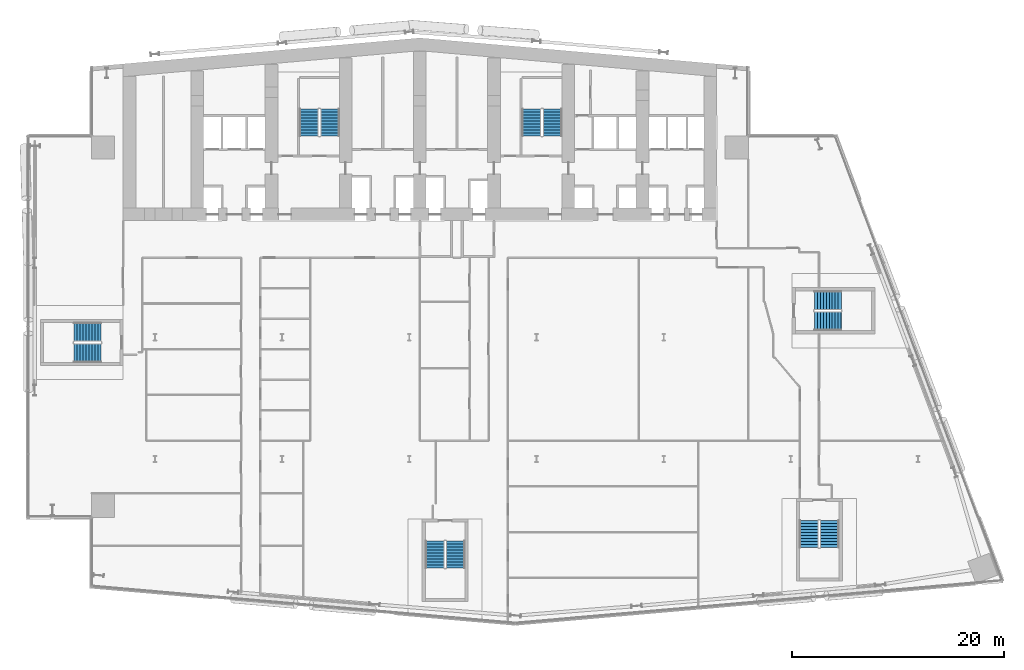
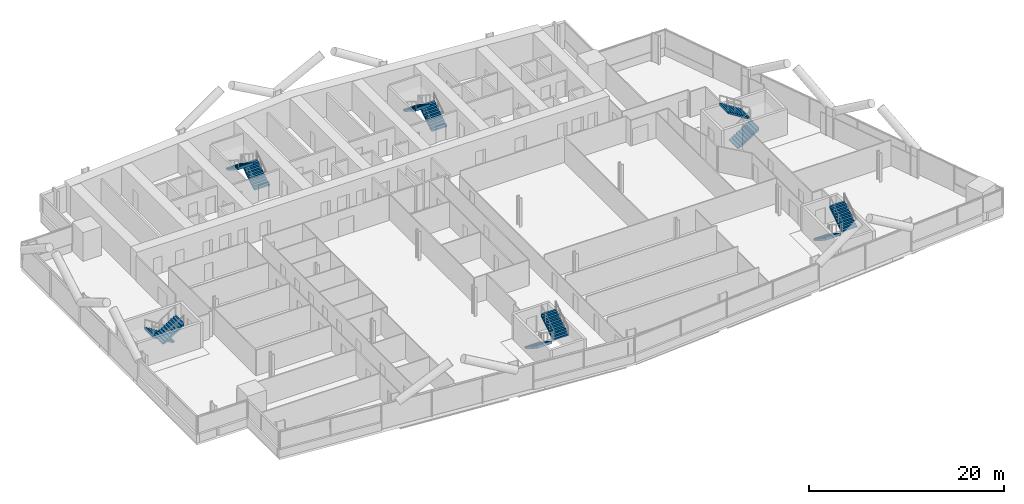
# One storey, part 20 of 27: 12 stair flights, 6 elements without a shape of their own.
"""IFC4 building model written with IfcOpenShell, lengths in metres."""

import ifcopenshell
import ifcopenshell.guid

model = None  # the IFC model being written
_history = None  # IfcOwnerHistory: only IFC2X3 demands one
_inside = {}  # id of a spatial element -> (the spatial element, [elements in it])
_under = {}  # id of a project, library or spatial element -> (it, [spatial elements below it])
_declared = {}  # id of a project -> (the project, [libraries it declares])
_typed = {}  # id of a type object -> (the type object, [elements of that type])
_made_of = {}  # id of a material, layer set ... -> (it, [elements and type objects made of it])


def new_model(schema):
    """Start an empty IFC model of exactly this schema.

    Asked for "IFC4X3", IfcOpenShell would pick the latest addendum, in which some entities
    have other attributes; the version numbers below select the first issue.
    IFC2X3 requires an IfcOwnerHistory on every rooted entity: one is made here for all.
    """
    global model, _history
    if schema == "IFC4X3":
        model = ifcopenshell.file(schema_version=(4, 3, 0, 0))
    else:
        model = ifcopenshell.file(schema=schema)
    _inside.clear()
    _under.clear()
    _declared.clear()
    _typed.clear()
    _made_of.clear()
    _history = None
    if model.schema == "IFC2X3":
        org = make("IfcOrganization", Name="unknown")
        user = make(
            "IfcPersonAndOrganization",
            ThePerson=make("IfcPerson", FamilyName="unknown"),
            TheOrganization=org,
        )
        app = make(
            "IfcApplication",
            ApplicationDeveloper=org,
            Version="unknown",
            ApplicationFullName="unknown",
            ApplicationIdentifier="unknown",
        )
        _history = make(
            "IfcOwnerHistory",
            OwningUser=user,
            OwningApplication=app,
            ChangeAction="ADDED",
            CreationDate=0,
        )
    return model


def make(cls, **values):
    """One entity of the class cls with the attributes given. An attribute that is None is left unset."""
    return model.create_entity(
        cls, **{name: value for name, value in values.items() if value is not None}
    )


def rooted(cls, **values):
    """An entity with a GlobalId (a new one), such as an element, a storey or a relation."""
    return make(cls, GlobalId=ifcopenshell.guid.new(), OwnerHistory=_history, **values)


def si_unit(unit_type, name, prefix=None):
    """IfcSIUnit, for example si_unit("LENGTHUNIT", "METRE", prefix="MILLI")."""
    return make("IfcSIUnit", UnitType=unit_type, Prefix=prefix, Name=name)


def assignment(units):
    """IfcUnitAssignment: the units of a project."""
    return None if units is None else make("IfcUnitAssignment", Units=units)


def point(xyz):
    """IfcCartesianPoint."""
    return None if xyz is None else make("IfcCartesianPoint", Coordinates=xyz)


def direction(xyz):
    """IfcDirection."""
    return None if xyz is None else make("IfcDirection", DirectionRatios=xyz)


def frame(location, z_axis=None, x_axis=None):
    """IfcAxis2Placement3D, a coordinate frame: its origin and axes. An axis left out is left unset."""
    return make(
        "IfcAxis2Placement3D",
        Location=point(location),
        Axis=direction(z_axis),
        RefDirection=direction(x_axis),
    )


def origin():
    """The frame at (0, 0, 0) with its axes left unset."""
    return frame((0.0, 0.0, 0.0))


def place(relative_to, where):
    """IfcLocalPlacement: puts the frame where relative to a parent placement (None: the world)."""
    return make(
        "IfcLocalPlacement", PlacementRelTo=relative_to, RelativePlacement=where
    )


def context(
    kind, dimensions, precision=None, world=None, true_north=None, identifier=None
):
    """IfcGeometricRepresentationContext, for example the 3D "Model" context."""
    return make(
        "IfcGeometricRepresentationContext",
        ContextIdentifier=identifier,
        ContextType=kind,
        CoordinateSpaceDimension=dimensions,
        Precision=precision,
        WorldCoordinateSystem=world,
        TrueNorth=true_north,
    )


def subcontext(parent, identifier, kind, view, scale=None):
    """IfcGeometricRepresentationSubContext, for example "Body" below "Model"."""
    return make(
        "IfcGeometricRepresentationSubContext",
        ContextIdentifier=identifier,
        ContextType=kind,
        ParentContext=parent,
        TargetScale=scale,
        TargetView=view,
    )


def project(units=None, contexts=None):
    """IfcProject with its units and contexts."""
    return rooted(
        "IfcProject",
        Name="project",
        RepresentationContexts=contexts,
        UnitsInContext=assignment(units),
    )


def spatial(cls, under=None, at=None, **own):
    """A site, building, storey or space (cls), placed at a placement, below another one or the project."""
    s = rooted(cls, ObjectPlacement=at, **own)
    if under is not None:
        _under.setdefault(under.id(), (under, []))[1].append(s)
    return s


def polyline(points):
    """IfcPolyline through the points."""
    return make("IfcPolyline", Points=[point(p) for p in points])


def outline(outer, holes=None, kind="AREA"):
    """IfcArbitraryClosedProfileDef: a profile drawn as a closed curve; with holes, ...WithVoids."""
    if holes is None:
        return make("IfcArbitraryClosedProfileDef", ProfileType=kind, OuterCurve=outer)
    return make(
        "IfcArbitraryProfileDefWithVoids",
        ProfileType=kind,
        OuterCurve=outer,
        InnerCurves=holes,
    )


def extrude(swept, where, along, depth):
    """IfcExtrudedAreaSolid: the profile swept, set in the frame where, extruded along a direction by depth."""
    return make(
        "IfcExtrudedAreaSolid",
        SweptArea=swept,
        Position=where,
        ExtrudedDirection=direction(along),
        Depth=depth,
    )


def shape(context_of_items, identifier, shape_type, items):
    """IfcShapeRepresentation: the items that make up one representation, for example the "Body"."""
    return make(
        "IfcShapeRepresentation",
        ContextOfItems=context_of_items,
        RepresentationIdentifier=identifier,
        RepresentationType=shape_type,
        Items=items,
    )


def material(Name=None, Category=None):
    """IfcMaterial."""
    return make("IfcMaterial", Name=Name, Category=Category)


def made_of(thing, what):
    """Note that an element or type object is made of a material, layer set ...; save() writes the relation."""
    if what is not None:
        _made_of.setdefault(what.id(), (what, []))[1].append(thing)
    return thing


def type_object(cls, material=None, **own):
    """A type object (cls), such as IfcWallType, which elements share."""
    return made_of(rooted(cls, **own), material)


def element(
    cls,
    number,
    at=None,
    inside=None,
    cuts=None,
    type_object=None,
    material=None,
    context=None,
    identifier="Body",
    shape_type=None,
    held_by="IfcProductDefinitionShape",
    body=None,
    shapes=None,
    **own,
):
    """One element of the class cls, such as IfcWall. Its Tag is "e" and its number.

    at: its placement. inside: the storey or other place that contains it. cuts: it is an
    opening in that element (IfcRelVoidsElement). A single representation is given by context,
    identifier, shape_type and body (its items); several are given by shapes. held_by: the class
    of the entity that holds the representations. save() writes the other relations.
    """
    e = rooted(cls, Tag="e%d" % number, ObjectPlacement=at, **own)
    if body is not None:
        shapes = [shape(context, identifier, shape_type, body)]
    if shapes is not None:
        e.Representation = make(held_by, Representations=shapes)
    if inside is not None:
        _inside.setdefault(inside.id(), (inside, []))[1].append(e)
    if cuts is not None:
        rooted(
            "IfcRelVoidsElement", RelatingBuildingElement=cuts, RelatedOpeningElement=e
        )
    if type_object is not None:
        _typed.setdefault(type_object.id(), (type_object, []))[1].append(e)
    return made_of(e, material)


def aggregate(whole, parts):
    """IfcRelAggregates: a whole, such as a stair, and the parts it consists of."""
    return rooted("IfcRelAggregates", RelatingObject=whole, RelatedObjects=parts)


def save(model, path):
    """Write the relations noted so far, then the file.

    IfcRelAggregates (storeys below a building ...), IfcRelContainedInSpatialStructure (elements
    in a storey), IfcRelDefinesByType, IfcRelAssociatesMaterial and IfcRelDeclares: one each for
    every whole, place, type object, material and project.
    """
    for whole, parts in _under.values():
        aggregate(whole, parts)
    for where, things in _inside.values():
        rooted(
            "IfcRelContainedInSpatialStructure",
            RelatedElements=things,
            RelatingStructure=where,
        )
    for kind, things in _typed.values():
        rooted("IfcRelDefinesByType", RelatedObjects=things, RelatingType=kind)
    for what, things in _made_of.values():
        rooted("IfcRelAssociatesMaterial", RelatedObjects=things, RelatingMaterial=what)
    for by, libraries in _declared.values():
        rooted("IfcRelDeclares", RelatingContext=by, RelatedDefinitions=libraries)
    model.write(path)


model = new_model("IFC4")

# Units and contexts
model_context = context("Model", 3, precision=1e-05, world=origin(), true_north=direction((0.0, 1.0)))
body_context = subcontext(model_context, "Body", "Model", "MODEL_VIEW")
ifc_project = project(units=[si_unit("LENGTHUNIT", "METRE"), si_unit("AREAUNIT", "SQUARE_METRE"), si_unit("VOLUMEUNIT", "CUBIC_METRE"), si_unit("PLANEANGLEUNIT", "RADIAN"), si_unit("MASSUNIT", "GRAM", prefix="KILO")], contexts=[model_context])

# Site, building, storey
site_placement = place(None, origin())
site = spatial("IfcSite", under=ifc_project, at=site_placement, CompositionType="ELEMENT")
building_placement = place(site_placement, origin())
building = spatial("IfcBuilding", under=site, at=building_placement, Name="Wharfspan Tower", CompositionType="ELEMENT")
storey_placement = place(building_placement, frame((0.0, 0.0, 81.100098)))
storey = spatial("IfcBuildingStorey", under=building, at=storey_placement, Name="L17", CompositionType="ELEMENT", Elevation=81.100098)

# Stair, stair flights
ifc_material = material(Name="Concrete C40/50", Category="concrete")
stair_type = type_object("IfcStairType", Name="Half-turn stair 20 risers 180 mm", PredefinedType="HALF_TURN_STAIR", material=ifc_material)
stair_1_placement = place(storey_placement, origin())
stair_1 = element("IfcStair", 1, at=stair_1_placement, inside=storey, type_object=stair_type, Name="L17 stair ST1", PredefinedType="HALF_TURN_STAIR")
stair_flight_type = type_object("IfcStairFlightType", Name="Stair flight 20 risers 180 mm", PredefinedType="STRAIGHT", material=ifc_material)
stair_flight_1_placement = place(storey_placement, frame((28.5, 42.0, 0.0), z_axis=(0.0, 0.0, 1.0), x_axis=(0.0, 1.0, 0.0)))
stair_flight_1 = element("IfcStairFlight", 2, at=stair_flight_1_placement, type_object=stair_flight_type, Name="ST1 flight 1", NumberOfRisers=10, NumberOfTreads=9, PredefinedType="STRAIGHT", RiserHeight=0.18, TreadLength=0.28, context=body_context, shape_type="SweptSolid", body=[
    extrude(outline(polyline([(-0.011963, 0.0), (-0.011963, 0.179932), (0.0, 0.179932), (0.280029, 0.179932), (0.280029, 0.360107), (0.560059, 0.360107), (0.560059, 0.540039), (0.840088, 0.540039), (0.840088, 0.719971), (1.120117, 0.719971), (1.120117, 0.899902), (1.399902, 0.899902), (1.399902, 1.080078), (1.679932, 1.080078), (1.679932, 1.26001), (1.959961, 1.26001), (1.959961, 1.439941), (2.23999, 1.439941), (2.23999, 1.620117), (2.52002, 1.620117), (2.531982, 1.800049), (2.531982, 1.441895), (0.2771, 0.0), (-0.011963, 0.0)])), frame((0.0, 0.899902, 0.0), z_axis=(0.0, -1.0, 0.0), x_axis=(1.0, 0.0, 0.0)), (0.0, 0.0, 1.0), 0.899414),
    extrude(outline(polyline([(-0.011963, 0.0), (-0.011963, 0.179932), (0.0, 0.179932), (0.280029, 0.179932), (0.280029, 0.360107), (0.560059, 0.360107), (0.560059, 0.540039), (0.840088, 0.540039), (0.840088, 0.719971), (1.120117, 0.719971), (1.120117, 0.899902), (1.399902, 0.899902), (1.399902, 1.080078), (1.679932, 1.080078), (1.679932, 1.26001), (1.959961, 1.26001), (1.959961, 1.439941), (2.23999, 1.439941), (2.23999, 1.620117), (2.52002, 1.620117), (2.531982, 1.800049), (2.531982, 1.441895), (0.2771, 0.0), (-0.011963, 0.0)])), frame((0.0, -0.000488, 0.0), z_axis=(0.0, -1.0, 0.0), x_axis=(1.0, 0.0, 0.0)), (0.0, 0.0, 1.0), 0.899414),
])
stair_flight_2_placement = place(storey_placement, frame((26.550049, 44.52002, 1.799805), z_axis=(0.0, 0.0, 1.0), x_axis=(0.0, -1.0, 0.0)))
stair_flight_2 = element("IfcStairFlight", 3, at=stair_flight_2_placement, type_object=stair_flight_type, Name="ST1 flight 2", NumberOfRisers=10, NumberOfTreads=9, PredefinedType="STRAIGHT", RiserHeight=0.18, TreadLength=0.28, context=body_context, shape_type="SweptSolid", body=[
    extrude(outline(polyline([(-0.011963, 0.0), (-0.011963, 0.179932), (0.0, 0.179932), (0.280029, 0.179932), (0.280029, 0.360107), (0.560059, 0.360107), (0.560059, 0.540039), (0.840088, 0.540039), (0.840088, 0.719971), (1.120117, 0.719971), (1.120117, 0.899902), (1.399902, 0.899902), (1.399902, 1.080078), (1.679932, 1.080078), (1.679932, 1.26001), (1.959961, 1.26001), (1.959961, 1.439941), (2.23999, 1.439941), (2.23999, 1.620117), (2.52002, 1.620117), (2.531982, 1.800049), (2.531982, 1.441895), (0.2771, 0.0), (-0.011963, 0.0)])), frame((0.0, 0.899902, 0.0), z_axis=(0.0, -1.0, 0.0), x_axis=(1.0, 0.0, 0.0)), (0.0, 0.0, 1.0), 0.899414),
    extrude(outline(polyline([(-0.011963, 0.0), (-0.011963, 0.179932), (0.0, 0.179932), (0.280029, 0.179932), (0.280029, 0.360107), (0.560059, 0.360107), (0.560059, 0.540039), (0.840088, 0.540039), (0.840088, 0.719971), (1.120117, 0.719971), (1.120117, 0.899902), (1.399902, 0.899902), (1.399902, 1.080078), (1.679932, 1.080078), (1.679932, 1.26001), (1.959961, 1.26001), (1.959961, 1.439941), (2.23999, 1.439941), (2.23999, 1.620117), (2.52002, 1.620117), (2.531982, 1.800049), (2.531982, 1.441895), (0.2771, 0.0), (-0.011963, 0.0)])), frame((0.0, -0.000488, 0.0), z_axis=(0.0, -1.0, 0.0), x_axis=(1.0, 0.0, 0.0)), (0.0, 0.0, 1.0), 0.899414),
])
aggregate(stair_1, [stair_flight_1, stair_flight_2])

stair_2_placement = place(storey_placement, origin())
stair_2 = element("IfcStair", 4, at=stair_2_placement, inside=storey, type_object=stair_type, Name="L17 stair ST2", PredefinedType="HALF_TURN_STAIR")
stair_flight_3_placement = place(storey_placement, frame((49.5, 42.0, 0.0), z_axis=(0.0, 0.0, 1.0), x_axis=(0.0, 1.0, 0.0)))
stair_flight_3 = element("IfcStairFlight", 5, at=stair_flight_3_placement, type_object=stair_flight_type, Name="ST2 flight 1", NumberOfRisers=10, NumberOfTreads=9, PredefinedType="STRAIGHT", RiserHeight=0.18, TreadLength=0.28, context=body_context, shape_type="SweptSolid", body=[
    extrude(outline(polyline([(-0.011963, 0.0), (-0.011963, 0.179932), (0.0, 0.179932), (0.280029, 0.179932), (0.280029, 0.360107), (0.560059, 0.360107), (0.560059, 0.540039), (0.840088, 0.540039), (0.840088, 0.719971), (1.120117, 0.719971), (1.120117, 0.899902), (1.399902, 0.899902), (1.399902, 1.080078), (1.679932, 1.080078), (1.679932, 1.26001), (1.959961, 1.26001), (1.959961, 1.439941), (2.23999, 1.439941), (2.23999, 1.620117), (2.52002, 1.620117), (2.531982, 1.800049), (2.531982, 1.441895), (0.2771, 0.0), (-0.011963, 0.0)])), frame((0.0, 0.899902, 0.0), z_axis=(0.0, -1.0, 0.0), x_axis=(1.0, 0.0, 0.0)), (0.0, 0.0, 1.0), 0.899414),
    extrude(outline(polyline([(-0.011963, 0.0), (-0.011963, 0.179932), (0.0, 0.179932), (0.280029, 0.179932), (0.280029, 0.360107), (0.560059, 0.360107), (0.560059, 0.540039), (0.840088, 0.540039), (0.840088, 0.719971), (1.120117, 0.719971), (1.120117, 0.899902), (1.399902, 0.899902), (1.399902, 1.080078), (1.679932, 1.080078), (1.679932, 1.26001), (1.959961, 1.26001), (1.959961, 1.439941), (2.23999, 1.439941), (2.23999, 1.620117), (2.52002, 1.620117), (2.531982, 1.800049), (2.531982, 1.441895), (0.2771, 0.0), (-0.011963, 0.0)])), frame((0.0, -0.000488, 0.0), z_axis=(0.0, -1.0, 0.0), x_axis=(1.0, 0.0, 0.0)), (0.0, 0.0, 1.0), 0.899414),
])
stair_flight_4_placement = place(storey_placement, frame((47.550049, 44.52002, 1.799805), z_axis=(0.0, 0.0, 1.0), x_axis=(0.0, -1.0, 0.0)))
stair_flight_4 = element("IfcStairFlight", 6, at=stair_flight_4_placement, type_object=stair_flight_type, Name="ST2 flight 2", NumberOfRisers=10, NumberOfTreads=9, PredefinedType="STRAIGHT", RiserHeight=0.18, TreadLength=0.28, context=body_context, shape_type="SweptSolid", body=[
    extrude(outline(polyline([(-0.011963, 0.0), (-0.011963, 0.179932), (0.0, 0.179932), (0.280029, 0.179932), (0.280029, 0.360107), (0.560059, 0.360107), (0.560059, 0.540039), (0.840088, 0.540039), (0.840088, 0.719971), (1.120117, 0.719971), (1.120117, 0.899902), (1.399902, 0.899902), (1.399902, 1.080078), (1.679932, 1.080078), (1.679932, 1.26001), (1.959961, 1.26001), (1.959961, 1.439941), (2.23999, 1.439941), (2.23999, 1.620117), (2.52002, 1.620117), (2.531982, 1.800049), (2.531982, 1.441895), (0.2771, 0.0), (-0.011963, 0.0)])), frame((0.0, 0.899902, 0.0), z_axis=(0.0, -1.0, 0.0), x_axis=(1.0, 0.0, 0.0)), (0.0, 0.0, 1.0), 0.899414),
    extrude(outline(polyline([(-0.011963, 0.0), (-0.011963, 0.179932), (0.0, 0.179932), (0.280029, 0.179932), (0.280029, 0.360107), (0.560059, 0.360107), (0.560059, 0.540039), (0.840088, 0.540039), (0.840088, 0.719971), (1.120117, 0.719971), (1.120117, 0.899902), (1.399902, 0.899902), (1.399902, 1.080078), (1.679932, 1.080078), (1.679932, 1.26001), (1.959961, 1.26001), (1.959961, 1.439941), (2.23999, 1.439941), (2.23999, 1.620117), (2.52002, 1.620117), (2.531982, 1.800049), (2.531982, 1.441895), (0.2771, 0.0), (-0.011963, 0.0)])), frame((0.0, -0.000488, 0.0), z_axis=(0.0, -1.0, 0.0), x_axis=(1.0, 0.0, 0.0)), (0.0, 0.0, 1.0), 0.899414),
])
aggregate(stair_2, [stair_flight_3, stair_flight_4])

stair_3_placement = place(storey_placement, origin())
stair_3 = element("IfcStair", 7, at=stair_3_placement, inside=storey, type_object=stair_type, Name="L17 stair ST3", PredefinedType="HALF_TURN_STAIR")
stair_flight_5_placement = place(storey_placement, frame((6.899902, 23.475098, 0.0), z_axis=(0.0, 0.0, 1.0), x_axis=(-1.0, 0.0, 0.0)))
stair_flight_5 = element("IfcStairFlight", 8, at=stair_flight_5_placement, type_object=stair_flight_type, Name="ST3 flight 1", NumberOfRisers=10, NumberOfTreads=9, PredefinedType="STRAIGHT", RiserHeight=0.18, TreadLength=0.28, context=body_context, shape_type="SweptSolid", body=[
    extrude(outline(polyline([(-0.011963, 0.0), (-0.011963, 0.179932), (0.0, 0.179932), (0.280029, 0.179932), (0.280029, 0.360107), (0.560059, 0.360107), (0.560059, 0.540039), (0.840088, 0.540039), (0.840088, 0.719971), (1.120117, 0.719971), (1.120117, 0.899902), (1.399902, 0.899902), (1.399902, 1.080078), (1.679932, 1.080078), (1.679932, 1.26001), (1.959961, 1.26001), (1.959961, 1.439941), (2.23999, 1.439941), (2.23999, 1.620117), (2.52002, 1.620117), (2.531982, 1.800049), (2.531982, 1.441895), (0.2771, 0.0), (-0.011963, 0.0)])), frame((0.0, 0.899902, 0.0), z_axis=(0.0, -1.0, 0.0), x_axis=(1.0, 0.0, 0.0)), (0.0, 0.0, 1.0), 0.899414),
    extrude(outline(polyline([(-0.011963, 0.0), (-0.011963, 0.179932), (0.0, 0.179932), (0.280029, 0.179932), (0.280029, 0.360107), (0.560059, 0.360107), (0.560059, 0.540039), (0.840088, 0.540039), (0.840088, 0.719971), (1.120117, 0.719971), (1.120117, 0.899902), (1.399902, 0.899902), (1.399902, 1.080078), (1.679932, 1.080078), (1.679932, 1.26001), (1.959961, 1.26001), (1.959961, 1.439941), (2.23999, 1.439941), (2.23999, 1.620117), (2.52002, 1.620117), (2.531982, 1.800049), (2.531982, 1.441895), (0.2771, 0.0), (-0.011963, 0.0)])), frame((0.0, -0.000488, 0.0), z_axis=(0.0, -1.0, 0.0), x_axis=(1.0, 0.0, 0.0)), (0.0, 0.0, 1.0), 0.899414),
])
stair_flight_6_placement = place(storey_placement, frame((4.379883, 21.524902, 1.799805), z_axis=(0.0, 0.0, 1.0), x_axis=(1.0, 0.0, 0.0)))
stair_flight_6 = element("IfcStairFlight", 9, at=stair_flight_6_placement, type_object=stair_flight_type, Name="ST3 flight 2", NumberOfRisers=10, NumberOfTreads=9, PredefinedType="STRAIGHT", RiserHeight=0.18, TreadLength=0.28, context=body_context, shape_type="SweptSolid", body=[
    extrude(outline(polyline([(-0.011963, 0.0), (-0.011963, 0.179932), (0.0, 0.179932), (0.280029, 0.179932), (0.280029, 0.360107), (0.560059, 0.360107), (0.560059, 0.540039), (0.840088, 0.540039), (0.840088, 0.719971), (1.120117, 0.719971), (1.120117, 0.899902), (1.399902, 0.899902), (1.399902, 1.080078), (1.679932, 1.080078), (1.679932, 1.26001), (1.959961, 1.26001), (1.959961, 1.439941), (2.23999, 1.439941), (2.23999, 1.620117), (2.52002, 1.620117), (2.531982, 1.800049), (2.531982, 1.441895), (0.2771, 0.0), (-0.011963, 0.0)])), frame((0.0, 0.899902, 0.0), z_axis=(0.0, -1.0, 0.0), x_axis=(1.0, 0.0, 0.0)), (0.0, 0.0, 1.0), 0.899414),
    extrude(outline(polyline([(-0.011963, 0.0), (-0.011963, 0.179932), (0.0, 0.179932), (0.280029, 0.179932), (0.280029, 0.360107), (0.560059, 0.360107), (0.560059, 0.540039), (0.840088, 0.540039), (0.840088, 0.719971), (1.120117, 0.719971), (1.120117, 0.899902), (1.399902, 0.899902), (1.399902, 1.080078), (1.679932, 1.080078), (1.679932, 1.26001), (1.959961, 1.26001), (1.959961, 1.439941), (2.23999, 1.439941), (2.23999, 1.620117), (2.52002, 1.620117), (2.531982, 1.800049), (2.531982, 1.441895), (0.2771, 0.0), (-0.011963, 0.0)])), frame((0.0, -0.000488, 0.0), z_axis=(0.0, -1.0, 0.0), x_axis=(1.0, 0.0, 0.0)), (0.0, 0.0, 1.0), 0.899414),
])
aggregate(stair_3, [stair_flight_5, stair_flight_6])

stair_4_placement = place(storey_placement, origin())
stair_4 = element("IfcStair", 10, at=stair_4_placement, inside=storey, type_object=stair_type, Name="L17 stair ST4", PredefinedType="HALF_TURN_STAIR")
stair_flight_7_placement = place(storey_placement, frame((38.408203, 3.760498, 0.0), z_axis=(0.0, 0.0, 1.0), x_axis=(0.0, -1.0, 0.0)))
stair_flight_7 = element("IfcStairFlight", 11, at=stair_flight_7_placement, type_object=stair_flight_type, Name="ST4 flight 1", NumberOfRisers=10, NumberOfTreads=9, PredefinedType="STRAIGHT", RiserHeight=0.18, TreadLength=0.28, context=body_context, shape_type="SweptSolid", body=[
    extrude(outline(polyline([(-0.011963, 0.0), (-0.011963, 0.179932), (0.0, 0.179932), (0.280029, 0.179932), (0.280029, 0.360107), (0.560059, 0.360107), (0.560059, 0.540039), (0.840088, 0.540039), (0.840088, 0.719971), (1.120117, 0.719971), (1.120117, 0.899902), (1.399902, 0.899902), (1.399902, 1.080078), (1.679932, 1.080078), (1.679932, 1.26001), (1.959961, 1.26001), (1.959961, 1.439941), (2.23999, 1.439941), (2.23999, 1.620117), (2.52002, 1.620117), (2.531982, 1.800049), (2.531982, 1.441895), (0.2771, 0.0), (-0.011963, 0.0)])), frame((0.0, 0.899902, 0.0), z_axis=(0.0, -1.0, 0.0), x_axis=(1.0, 0.0, 0.0)), (0.0, 0.0, 1.0), 0.899414),
    extrude(outline(polyline([(-0.011963, 0.0), (-0.011963, 0.179932), (0.0, 0.179932), (0.280029, 0.179932), (0.280029, 0.360107), (0.560059, 0.360107), (0.560059, 0.540039), (0.840088, 0.540039), (0.840088, 0.719971), (1.120117, 0.719971), (1.120117, 0.899902), (1.399902, 0.899902), (1.399902, 1.080078), (1.679932, 1.080078), (1.679932, 1.26001), (1.959961, 1.26001), (1.959961, 1.439941), (2.23999, 1.439941), (2.23999, 1.620117), (2.52002, 1.620117), (2.531982, 1.800049), (2.531982, 1.441895), (0.2771, 0.0), (-0.011963, 0.0)])), frame((0.0, -0.000488, 0.0), z_axis=(0.0, -1.0, 0.0), x_axis=(1.0, 0.0, 0.0)), (0.0, 0.0, 1.0), 0.899414),
])
stair_flight_8_placement = place(storey_placement, frame((40.358398, 1.240723, 1.799805), z_axis=(0.0, 0.0, 1.0), x_axis=(0.0, 1.0, 0.0)))
stair_flight_8 = element("IfcStairFlight", 12, at=stair_flight_8_placement, type_object=stair_flight_type, Name="ST4 flight 2", NumberOfRisers=10, NumberOfTreads=9, PredefinedType="STRAIGHT", RiserHeight=0.18, TreadLength=0.28, context=body_context, shape_type="SweptSolid", body=[
    extrude(outline(polyline([(-0.011963, 0.0), (-0.011963, 0.179932), (0.0, 0.179932), (0.280029, 0.179932), (0.280029, 0.360107), (0.560059, 0.360107), (0.560059, 0.540039), (0.840088, 0.540039), (0.840088, 0.719971), (1.120117, 0.719971), (1.120117, 0.899902), (1.399902, 0.899902), (1.399902, 1.080078), (1.679932, 1.080078), (1.679932, 1.26001), (1.959961, 1.26001), (1.959961, 1.439941), (2.23999, 1.439941), (2.23999, 1.620117), (2.52002, 1.620117), (2.531982, 1.800049), (2.531982, 1.441895), (0.2771, 0.0), (-0.011963, 0.0)])), frame((0.0, 0.899902, 0.0), z_axis=(0.0, -1.0, 0.0), x_axis=(1.0, 0.0, 0.0)), (0.0, 0.0, 1.0), 0.899414),
    extrude(outline(polyline([(-0.011963, 0.0), (-0.011963, 0.179932), (0.0, 0.179932), (0.280029, 0.179932), (0.280029, 0.360107), (0.560059, 0.360107), (0.560059, 0.540039), (0.840088, 0.540039), (0.840088, 0.719971), (1.120117, 0.719971), (1.120117, 0.899902), (1.399902, 0.899902), (1.399902, 1.080078), (1.679932, 1.080078), (1.679932, 1.26001), (1.959961, 1.26001), (1.959961, 1.439941), (2.23999, 1.439941), (2.23999, 1.620117), (2.52002, 1.620117), (2.531982, 1.800049), (2.531982, 1.441895), (0.2771, 0.0), (-0.011963, 0.0)])), frame((0.0, -0.000488, 0.0), z_axis=(0.0, -1.0, 0.0), x_axis=(1.0, 0.0, 0.0)), (0.0, 0.0, 1.0), 0.899414),
])
aggregate(stair_4, [stair_flight_7, stair_flight_8])

stair_5_placement = place(storey_placement, origin())
stair_5 = element("IfcStair", 13, at=stair_5_placement, inside=storey, type_object=stair_type, Name="L17 stair ST5", PredefinedType="HALF_TURN_STAIR")
stair_flight_9_placement = place(storey_placement, frame((73.717529, 5.691895, 0.0), z_axis=(0.0, 0.0, 1.0), x_axis=(0.0, -1.0, 0.0)))
stair_flight_9 = element("IfcStairFlight", 14, at=stair_flight_9_placement, type_object=stair_flight_type, Name="ST5 flight 1", NumberOfRisers=10, NumberOfTreads=9, PredefinedType="STRAIGHT", RiserHeight=0.18, TreadLength=0.28, context=body_context, shape_type="SweptSolid", body=[
    extrude(outline(polyline([(-0.011963, 0.0), (-0.011963, 0.179932), (0.0, 0.179932), (0.280029, 0.179932), (0.280029, 0.360107), (0.560059, 0.360107), (0.560059, 0.540039), (0.840088, 0.540039), (0.840088, 0.719971), (1.120117, 0.719971), (1.120117, 0.899902), (1.399902, 0.899902), (1.399902, 1.080078), (1.679932, 1.080078), (1.679932, 1.26001), (1.959961, 1.26001), (1.959961, 1.439941), (2.23999, 1.439941), (2.23999, 1.620117), (2.52002, 1.620117), (2.531982, 1.800049), (2.531982, 1.441895), (0.2771, 0.0), (-0.011963, 0.0)])), frame((0.0, 0.899902, 0.0), z_axis=(0.0, -1.0, 0.0), x_axis=(1.0, 0.0, 0.0)), (0.0, 0.0, 1.0), 0.899414),
    extrude(outline(polyline([(-0.011963, 0.0), (-0.011963, 0.179932), (0.0, 0.179932), (0.280029, 0.179932), (0.280029, 0.360107), (0.560059, 0.360107), (0.560059, 0.540039), (0.840088, 0.540039), (0.840088, 0.719971), (1.120117, 0.719971), (1.120117, 0.899902), (1.399902, 0.899902), (1.399902, 1.080078), (1.679932, 1.080078), (1.679932, 1.26001), (1.959961, 1.26001), (1.959961, 1.439941), (2.23999, 1.439941), (2.23999, 1.620117), (2.52002, 1.620117), (2.531982, 1.800049), (2.531982, 1.441895), (0.2771, 0.0), (-0.011963, 0.0)])), frame((0.0, -0.000488, 0.0), z_axis=(0.0, -1.0, 0.0), x_axis=(1.0, 0.0, 0.0)), (0.0, 0.0, 1.0), 0.899414),
])
stair_flight_10_placement = place(storey_placement, frame((75.66748, 3.172119, 1.799805), z_axis=(0.0, 0.0, 1.0), x_axis=(0.0, 1.0, 0.0)))
stair_flight_10 = element("IfcStairFlight", 15, at=stair_flight_10_placement, type_object=stair_flight_type, Name="ST5 flight 2", NumberOfRisers=10, NumberOfTreads=9, PredefinedType="STRAIGHT", RiserHeight=0.18, TreadLength=0.28, context=body_context, shape_type="SweptSolid", body=[
    extrude(outline(polyline([(-0.011963, 0.0), (-0.011963, 0.179932), (0.0, 0.179932), (0.280029, 0.179932), (0.280029, 0.360107), (0.560059, 0.360107), (0.560059, 0.540039), (0.840088, 0.540039), (0.840088, 0.719971), (1.120117, 0.719971), (1.120117, 0.899902), (1.399902, 0.899902), (1.399902, 1.080078), (1.679932, 1.080078), (1.679932, 1.26001), (1.959961, 1.26001), (1.959961, 1.439941), (2.23999, 1.439941), (2.23999, 1.620117), (2.52002, 1.620117), (2.531982, 1.800049), (2.531982, 1.441895), (0.2771, 0.0), (-0.011963, 0.0)])), frame((0.0, 0.899902, 0.0), z_axis=(0.0, -1.0, 0.0), x_axis=(1.0, 0.0, 0.0)), (0.0, 0.0, 1.0), 0.899414),
    extrude(outline(polyline([(-0.011963, 0.0), (-0.011963, 0.179932), (0.0, 0.179932), (0.280029, 0.179932), (0.280029, 0.360107), (0.560059, 0.360107), (0.560059, 0.540039), (0.840088, 0.540039), (0.840088, 0.719971), (1.120117, 0.719971), (1.120117, 0.899902), (1.399902, 0.899902), (1.399902, 1.080078), (1.679932, 1.080078), (1.679932, 1.26001), (1.959961, 1.26001), (1.959961, 1.439941), (2.23999, 1.439941), (2.23999, 1.620117), (2.52002, 1.620117), (2.531982, 1.800049), (2.531982, 1.441895), (0.2771, 0.0), (-0.011963, 0.0)])), frame((0.0, -0.000488, 0.0), z_axis=(0.0, -1.0, 0.0), x_axis=(1.0, 0.0, 0.0)), (0.0, 0.0, 1.0), 0.899414),
])
aggregate(stair_5, [stair_flight_9, stair_flight_10])

stair_6_placement = place(storey_placement, origin())
stair_6 = element("IfcStair", 16, at=stair_6_placement, inside=storey, type_object=stair_type, Name="L17 stair ST6", PredefinedType="HALF_TURN_STAIR")
stair_flight_11_placement = place(storey_placement, frame((74.225098, 24.524902, 0.0), z_axis=(0.0, 0.0, 1.0), x_axis=(1.0, 0.0, 0.0)))
stair_flight_11 = element("IfcStairFlight", 17, at=stair_flight_11_placement, type_object=stair_flight_type, Name="ST6 flight 1", NumberOfRisers=10, NumberOfTreads=9, PredefinedType="STRAIGHT", RiserHeight=0.18, TreadLength=0.28, context=body_context, shape_type="SweptSolid", body=[
    extrude(outline(polyline([(-0.011963, 0.0), (-0.011963, 0.179932), (0.0, 0.179932), (0.280029, 0.179932), (0.280029, 0.360107), (0.560059, 0.360107), (0.560059, 0.540039), (0.840088, 0.540039), (0.840088, 0.719971), (1.120117, 0.719971), (1.120117, 0.899902), (1.399902, 0.899902), (1.399902, 1.080078), (1.679932, 1.080078), (1.679932, 1.26001), (1.959961, 1.26001), (1.959961, 1.439941), (2.23999, 1.439941), (2.23999, 1.620117), (2.52002, 1.620117), (2.531982, 1.800049), (2.531982, 1.441895), (0.2771, 0.0), (-0.011963, 0.0)])), frame((0.0, 0.899902, 0.0), z_axis=(0.0, -1.0, 0.0), x_axis=(1.0, 0.0, 0.0)), (0.0, 0.0, 1.0), 0.899414),
    extrude(outline(polyline([(-0.011963, 0.0), (-0.011963, 0.179932), (0.0, 0.179932), (0.280029, 0.179932), (0.280029, 0.360107), (0.560059, 0.360107), (0.560059, 0.540039), (0.840088, 0.540039), (0.840088, 0.719971), (1.120117, 0.719971), (1.120117, 0.899902), (1.399902, 0.899902), (1.399902, 1.080078), (1.679932, 1.080078), (1.679932, 1.26001), (1.959961, 1.26001), (1.959961, 1.439941), (2.23999, 1.439941), (2.23999, 1.620117), (2.52002, 1.620117), (2.531982, 1.800049), (2.531982, 1.441895), (0.2771, 0.0), (-0.011963, 0.0)])), frame((0.0, -0.000488, 0.0), z_axis=(0.0, -1.0, 0.0), x_axis=(1.0, 0.0, 0.0)), (0.0, 0.0, 1.0), 0.899414),
])
stair_flight_12_placement = place(storey_placement, frame((76.745117, 26.475098, 1.799805), z_axis=(0.0, 0.0, 1.0), x_axis=(-1.0, 0.0, 0.0)))
stair_flight_12 = element("IfcStairFlight", 18, at=stair_flight_12_placement, type_object=stair_flight_type, Name="ST6 flight 2", NumberOfRisers=10, NumberOfTreads=9, PredefinedType="STRAIGHT", RiserHeight=0.18, TreadLength=0.28, context=body_context, shape_type="SweptSolid", body=[
    extrude(outline(polyline([(-0.011963, 0.0), (-0.011963, 0.179932), (0.0, 0.179932), (0.280029, 0.179932), (0.280029, 0.360107), (0.560059, 0.360107), (0.560059, 0.540039), (0.840088, 0.540039), (0.840088, 0.719971), (1.120117, 0.719971), (1.120117, 0.899902), (1.399902, 0.899902), (1.399902, 1.080078), (1.679932, 1.080078), (1.679932, 1.26001), (1.959961, 1.26001), (1.959961, 1.439941), (2.23999, 1.439941), (2.23999, 1.620117), (2.52002, 1.620117), (2.531982, 1.800049), (2.531982, 1.441895), (0.2771, 0.0), (-0.011963, 0.0)])), frame((0.0, 0.899902, 0.0), z_axis=(0.0, -1.0, 0.0), x_axis=(1.0, 0.0, 0.0)), (0.0, 0.0, 1.0), 0.899414),
    extrude(outline(polyline([(-0.011963, 0.0), (-0.011963, 0.179932), (0.0, 0.179932), (0.280029, 0.179932), (0.280029, 0.360107), (0.560059, 0.360107), (0.560059, 0.540039), (0.840088, 0.540039), (0.840088, 0.719971), (1.120117, 0.719971), (1.120117, 0.899902), (1.399902, 0.899902), (1.399902, 1.080078), (1.679932, 1.080078), (1.679932, 1.26001), (1.959961, 1.26001), (1.959961, 1.439941), (2.23999, 1.439941), (2.23999, 1.620117), (2.52002, 1.620117), (2.531982, 1.800049), (2.531982, 1.441895), (0.2771, 0.0), (-0.011963, 0.0)])), frame((0.0, -0.000488, 0.0), z_axis=(0.0, -1.0, 0.0), x_axis=(1.0, 0.0, 0.0)), (0.0, 0.0, 1.0), 0.899414),
])
aggregate(stair_6, [stair_flight_11, stair_flight_12])

save(model, "model.ifc")
